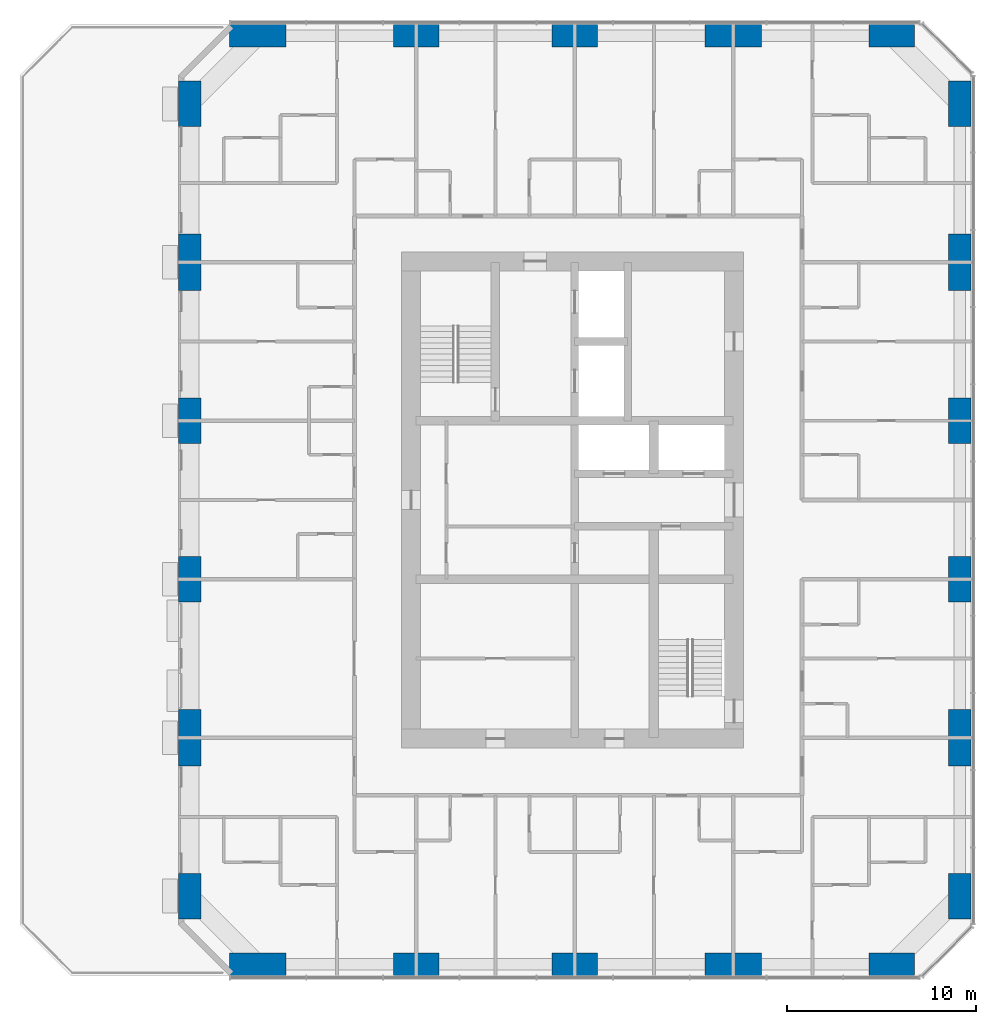
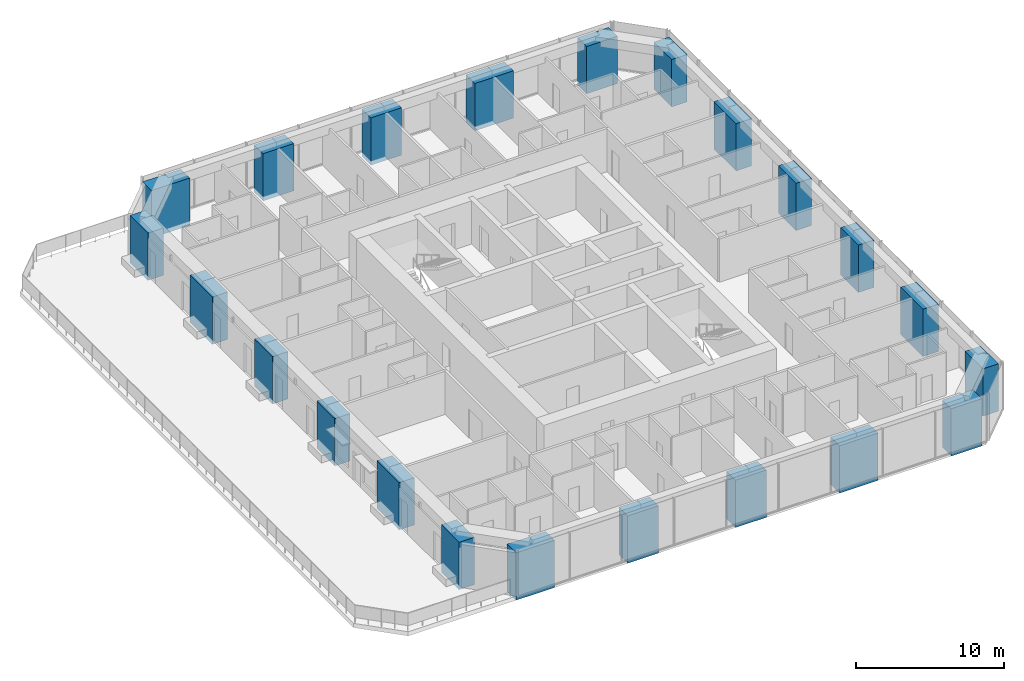
# One storey, part 1 of 13: 22 columns.
"""IFC4 building model written with IfcOpenShell, lengths in metres."""

from ifc_helpers import new_model, si_unit, direction, frame, origin, origin_2d, place, context, subcontext, project, spatial, rectangle, extrude, material, material_profile, profile_set, type_object, element, save


model = new_model("IFC4")

# Units and contexts
model_context = context("Model", 3, precision=1e-05, world=origin(), true_north=direction((0.0, 1.0)))
body_context = subcontext(model_context, "Body", "Model", "MODEL_VIEW")
ifc_project = project(units=[si_unit("LENGTHUNIT", "METRE"), si_unit("AREAUNIT", "SQUARE_METRE"), si_unit("VOLUMEUNIT", "CUBIC_METRE"), si_unit("PLANEANGLEUNIT", "RADIAN"), si_unit("MASSUNIT", "GRAM", prefix="KILO")], contexts=[model_context])

# Site, building, storey
site_placement = place(None, origin())
site = spatial("IfcSite", under=ifc_project, at=site_placement, CompositionType="ELEMENT")
building_placement = place(site_placement, origin())
building = spatial("IfcBuilding", under=site, at=building_placement, Name="Dunama Terrace Hotel", CompositionType="ELEMENT")
storey_placement = place(building_placement, frame((0.0, 0.0, 225.60009765625)))
storey = spatial("IfcBuildingStorey", under=building, at=storey_placement, Name="L58", CompositionType="ELEMENT", Elevation=225.60009765625)

# Columns
ifc_material_1 = material(Name="Concrete C60/75", Category="concrete")
ifc_material_profile_1 = material_profile(ifc_material_1, rectangle(XDim=1.199951171875, YDim=2.39990234375, at=origin_2d()), Name="RC 1200x2400")
ifc_profile_set_1 = profile_set([ifc_material_profile_1], Name="Concrete C60/75")
column_type_1 = type_object("IfcColumnType", Name="Column RC 1200x2400", PredefinedType="COLUMN", material=ifc_profile_set_1)
for number, where, z_axis, x_axis, name in (
    (1, (13.199951171875, 8.39990234375, -0.35009765625), (0.0, 0.0, 1.0), (1.0, 0.0, 0.0), "Column L58 +13.2/+8.4"),
    (2, (13.199951171875, 25.199951171875, -0.35009765625), (0.0, 0.0, 1.0), (1.0, 0.0, 0.0), "Column L58 +13.2/+25.2"),
    (3, (13.199951171875, 33.60009765625, -0.35009765625), (0.0, 0.0, 1.0), (1.0, 0.0, 0.0), "Column L58 +13.2/+33.6"),
    (4, (13.199951171875, 50.39990234375, -0.35009765625), (0.0, 0.0, 1.0), (1.0, 0.0, 0.0), "Column L58 +13.2/+50.4"),
    (5, (54.0, 8.39990234375, -0.35009765625), (0.0, 0.0, 1.0), (1.0, 0.0, 0.0), "Column L58 +54.0/+8.4"),
    (6, (54.0, 25.199951171875, -0.35009765625), (0.0, 0.0, 1.0), (1.0, 0.0, 0.0), "Column L58 +54.0/+25.2"),
    (7, (54.0, 33.60009765625, -0.35009765625), (0.0, 0.0, 1.0), (1.0, 0.0, 0.0), "Column L58 +54.0/+33.6"),
    (8, (54.0, 50.39990234375, -0.35009765625), (0.0, 0.0, 1.0), (1.0, 0.0, 0.0), "Column L58 +54.0/+50.4"),
):
    element("IfcColumn", number, at=place(storey_placement, frame(where, z_axis=z_axis, x_axis=x_axis)), inside=storey, type_object=column_type_1, Name=name, PredefinedType="COLUMN", context=body_context, shape_type="SweptSolid", body=[
        extrude(rectangle(XDim=1.199951171875, YDim=2.39990234375, at=origin_2d()), origin(), (0.0, 0.0, 1.0), 3.89990234375),
    ])
ifc_material_2 = material(Name="Concrete C60/75", Category="concrete")
ifc_material_profile_2 = material_profile(ifc_material_2, rectangle(XDim=1.199951171875, YDim=3.0, at=origin_2d()), Name="RC 1200x3000")
ifc_profile_set_2 = profile_set([ifc_material_profile_2], Name="Concrete C60/75")
column_type_2 = type_object("IfcColumnType", Name="Column RC 1200x3000", PredefinedType="COLUMN", material=ifc_profile_set_2)
for number, where, z_axis, x_axis, name in (
    (9, (13.199951171875, 16.800048828125, -0.35009765625), (0.0, 0.0, 1.0), (1.0, 0.0, 0.0), "Column L58 +13.2/+16.8"),
    (10, (13.199951171875, 42.0, -0.35009765625), (0.0, 0.0, 1.0), (1.0, 0.0, 0.0), "Column L58 +13.2/+42.0"),
    (11, (54.0, 16.800048828125, -0.35009765625), (0.0, 0.0, 1.0), (1.0, 0.0, 0.0), "Column L58 +54.0/+16.8"),
    (12, (54.0, 42.0, -0.35009765625), (0.0, 0.0, 1.0), (1.0, 0.0, 0.0), "Column L58 +54.0/+42.0"),
):
    element("IfcColumn", number, at=place(storey_placement, frame(where, z_axis=z_axis, x_axis=x_axis)), inside=storey, type_object=column_type_2, Name=name, PredefinedType="COLUMN", context=body_context, shape_type="SweptSolid", body=[
        extrude(rectangle(XDim=1.199951171875, YDim=3.0, at=origin_2d()), origin(), (0.0, 0.0, 1.0), 3.89990234375),
    ])
ifc_material_3 = material(Name="Concrete C60/75", Category="concrete")
ifc_material_profile_3 = material_profile(ifc_material_3, rectangle(XDim=2.39990234375, YDim=1.199951171875, at=origin_2d()), Name="RC 2400x1200")
ifc_profile_set_3 = profile_set([ifc_material_profile_3], Name="Concrete C60/75")
column_type_3 = type_object("IfcColumnType", Name="Column RC 2400x1200", PredefinedType="COLUMN", material=ifc_profile_set_3)
for number, where, z_axis, x_axis, name in (
    (13, (25.199951171875, 4.800048828125, -0.35009765625), (0.0, 0.0, 1.0), (1.0, 0.0, 0.0), "Column L58 +25.2/+4.8"),
    (14, (25.199951171875, 54.0, -0.35009765625), (0.0, 0.0, 1.0), (1.0, 0.0, 0.0), "Column L58 +25.2/+54.0"),
    (15, (33.60009765625, 4.800048828125, -0.35009765625), (0.0, 0.0, 1.0), (1.0, 0.0, 0.0), "Column L58 +33.6/+4.8"),
    (16, (33.60009765625, 54.0, -0.35009765625), (0.0, 0.0, 1.0), (1.0, 0.0, 0.0), "Column L58 +33.6/+54.0"),
    (17, (50.39990234375, 4.800048828125, -0.35009765625), (0.0, 0.0, 1.0), (1.0, 0.0, 0.0), "Column L58 +50.4/+4.8"),
    (18, (50.39990234375, 54.0, -0.35009765625), (0.0, 0.0, 1.0), (1.0, 0.0, 0.0), "Column L58 +50.4/+54.0"),
):
    element("IfcColumn", number, at=place(storey_placement, frame(where, z_axis=z_axis, x_axis=x_axis)), inside=storey, type_object=column_type_3, Name=name, PredefinedType="COLUMN", context=body_context, shape_type="SweptSolid", body=[
        extrude(rectangle(XDim=2.39990234375, YDim=1.199951171875, at=origin_2d()), origin(), (0.0, 0.0, 1.0), 3.89990234375),
    ])
ifc_material_4 = material(Name="Concrete C60/75", Category="concrete")
ifc_material_profile_4 = material_profile(ifc_material_4, rectangle(XDim=3.0, YDim=1.199951171875, at=origin_2d()), Name="RC 3000x1200")
ifc_profile_set_4 = profile_set([ifc_material_profile_4], Name="Concrete C60/75")
column_type_4 = type_object("IfcColumnType", Name="Column RC 3000x1200", PredefinedType="COLUMN", material=ifc_profile_set_4)
for number, where, z_axis, x_axis, name in (
    (19, (16.800048828125, 4.800048828125, -0.35009765625), (0.0, 0.0, 1.0), (1.0, 0.0, 0.0), "Column L58 +16.8/+4.8"),
    (20, (16.800048828125, 54.0, -0.35009765625), (0.0, 0.0, 1.0), (1.0, 0.0, 0.0), "Column L58 +16.8/+54.0"),
    (21, (42.0, 4.800048828125, -0.35009765625), (0.0, 0.0, 1.0), (1.0, 0.0, 0.0), "Column L58 +42.0/+4.8"),
    (22, (42.0, 54.0, -0.35009765625), (0.0, 0.0, 1.0), (1.0, 0.0, 0.0), "Column L58 +42.0/+54.0"),
):
    element("IfcColumn", number, at=place(storey_placement, frame(where, z_axis=z_axis, x_axis=x_axis)), inside=storey, type_object=column_type_4, Name=name, PredefinedType="COLUMN", context=body_context, shape_type="SweptSolid", body=[
        extrude(rectangle(XDim=3.0, YDim=1.199951171875, at=origin_2d()), origin(), (0.0, 0.0, 1.0), 3.89990234375),
    ])

save(model, "model.ifc")
